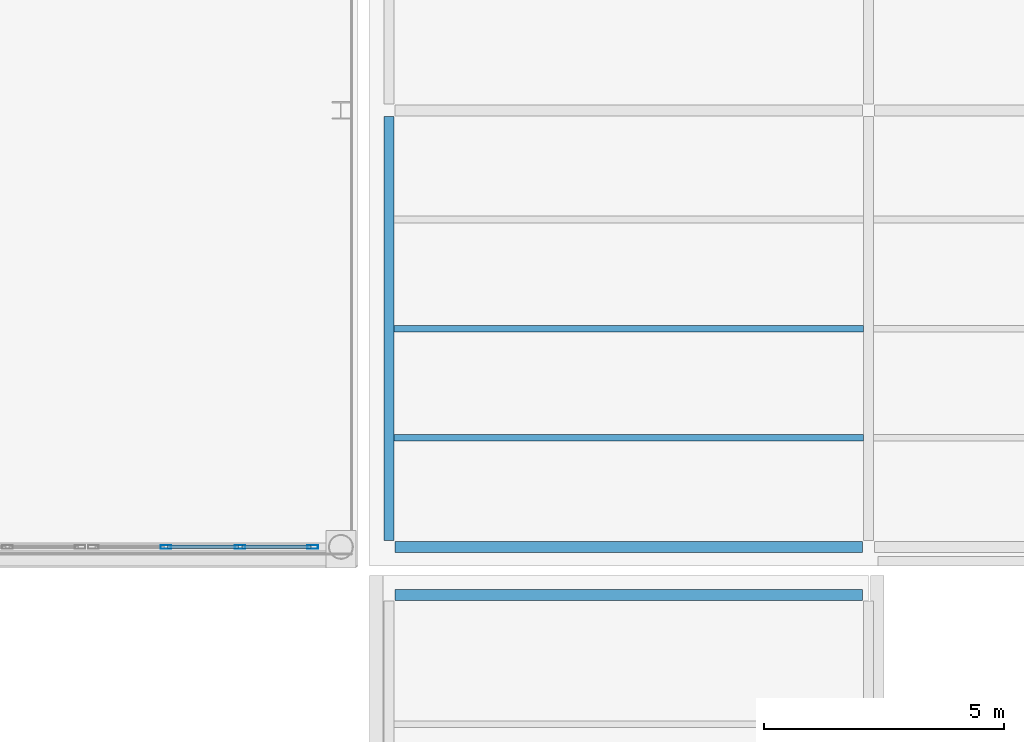
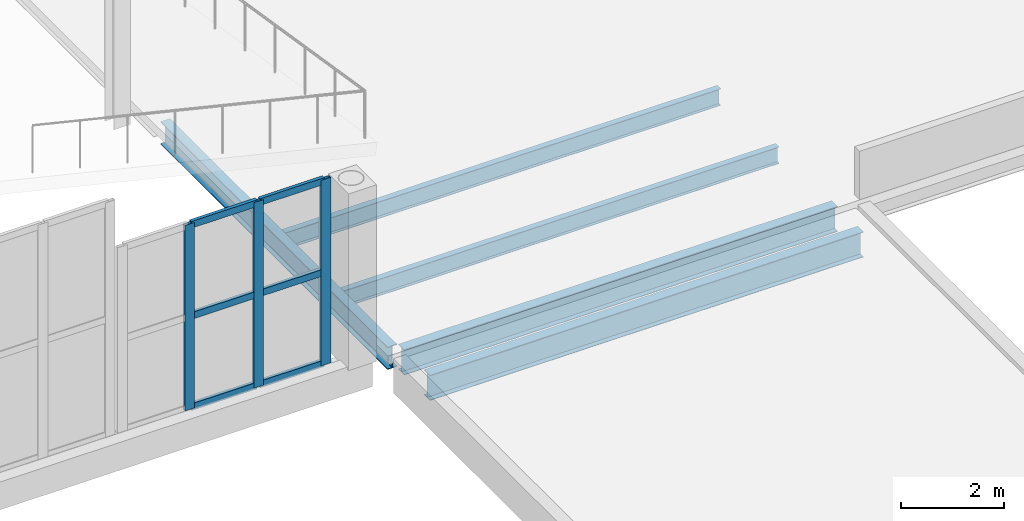
# One storey, part 73 of 120: 9 members, 5 beams, 1 element without a shape of its own.
"""IFC4 building model written with IfcOpenShell, lengths in metres."""

from ifc_helpers import new_model, si_unit, direction, frame, origin, origin_2d, place, context, subcontext, project, spatial, hollow_rectangle, i_section, extrude, material, material_profile, profile_set, type_object, element, aggregate, save


model = new_model("IFC4")

# Units and contexts
model_context = context("Model", 3, precision=1e-05, world=origin(), true_north=direction((0.0, 1.0)))
body_context = subcontext(model_context, "Body", "Model", "MODEL_VIEW")
ifc_project = project(units=[si_unit("LENGTHUNIT", "METRE"), si_unit("AREAUNIT", "SQUARE_METRE"), si_unit("VOLUMEUNIT", "CUBIC_METRE"), si_unit("PLANEANGLEUNIT", "RADIAN"), si_unit("MASSUNIT", "GRAM", prefix="KILO")], contexts=[model_context])

# Site, building, storey
site_placement = place(None, origin())
site = spatial("IfcSite", under=ifc_project, at=site_placement, CompositionType="ELEMENT")
building_placement = place(site_placement, origin())
building = spatial("IfcBuilding", under=site, at=building_placement, Name="Caurita Quay Ferry Terminal", CompositionType="ELEMENT")
storey_placement = place(building_placement, frame((0.0, 0.0, 9.89990234375)))
storey = spatial("IfcBuildingStorey", under=building, at=storey_placement, Name="L02", CompositionType="ELEMENT", Elevation=9.89990234375)

# Beams
ifc_material_1 = material(Name="Structural steel ASTM A992 Gr. 50", Category="steel")
ifc_material_profile_1 = material_profile(ifc_material_1, i_section(OverallWidth=0.210693359375, OverallDepth=0.53857421875, WebThickness=0.01171875, FlangeThickness=0.018798828125, FilletRadius=0.013916015625, at=origin_2d()), Name="W21X73")
ifc_profile_set_1 = profile_set([ifc_material_profile_1], Name="Structural steel ASTM A992 Gr. 50")
beam_type_1 = type_object("IfcBeamType", Name="BM-GR-W21A", PredefinedType="BEAM", material=ifc_profile_set_1)
beam_placement = place(storey_placement, frame((132.800048828125, 34.730712890625, -0.479248046875), z_axis=(0.0, 1.0, 0.0), x_axis=(-1.0, 0.0, 0.0)))
element("IfcBeam", 1, at=beam_placement, inside=storey, type_object=beam_type_1, Name="L02 Beam BM-V3H-L02-Y-1328-347", PredefinedType="BEAM", context=body_context, shape_type="SweptSolid", body=[
    extrude(i_section(OverallWidth=0.210693359375, OverallDepth=0.53857421875, WebThickness=0.01171875, FlangeThickness=0.018798828125, FilletRadius=0.013916015625, at=origin_2d()), origin(), (0.0, 0.0, 1.0), 8.838623046875),
])
ifc_material_profile_2 = material_profile(ifc_material_1, i_section(OverallWidth=0.22802734375, OverallDepth=0.60205078125, WebThickness=0.010498046875, FlangeThickness=0.014892578125, at=origin_2d()), Name="W24X68")
ifc_profile_set_2 = profile_set([ifc_material_profile_2], Name="Structural steel ASTM A992 Gr. 50")
beam_type_2 = type_object("IfcBeamType", Name="BM-GR-W24C", PredefinedType="BEAM", material=ifc_profile_set_2)
for number, where, z_axis, x_axis, name in (
    (2, (132.929443359375, 34.60009765625, -0.510986328125), (1.0, 0.0, 0.0), (0.0, 1.0, 0.0), "L02 Beam BM-V3H-L02-X-1329-346"),
    (3, (132.929443359375, 33.60009765625, -0.510986328125), (1.0, 0.0, 0.0), (0.0, 1.0, 0.0), "L02 Beam BM-V3P-L02-X-1329-336"),
):
    element("IfcBeam", number, at=place(storey_placement, frame(where, z_axis=z_axis, x_axis=x_axis)), inside=storey, type_object=beam_type_2, Name=name, PredefinedType="BEAM", context=body_context, shape_type="SweptSolid", body=[
        extrude(i_section(OverallWidth=0.22802734375, OverallDepth=0.60205078125, WebThickness=0.010498046875, FlangeThickness=0.014892578125, at=origin_2d()), origin(), (0.0, 0.0, 1.0), 9.740966796875),
    ])
ifc_material_profile_3 = material_profile(ifc_material_1, i_section(OverallWidth=0.139892578125, OverallDepth=0.39892578125, WebThickness=0.00634765625, FlangeThickness=0.0087890625, at=origin_2d()), Name="W16X26")
ifc_profile_set_3 = profile_set([ifc_material_profile_3], Name="Structural steel ASTM A992 Gr. 50")
beam_type_3 = type_object("IfcBeamType", Name="BM-JS-W16C", PredefinedType="JOIST", material=ifc_profile_set_3)
for number, where, z_axis, x_axis, name in (
    (4, (132.905517578125, 36.875, -0.409423828125), (1.0, 0.0, 0.0), (0.0, 1.0, 0.0), "L02 Beam JS-V3H-L02-001"),
    (5, (132.905517578125, 39.14990234375, -0.409423828125), (1.0, 0.0, 0.0), (0.0, 1.0, 0.0), "L02 Beam JS-V3H-L02-002"),
):
    element("IfcBeam", number, at=place(storey_placement, frame(where, z_axis=z_axis, x_axis=x_axis)), inside=storey, type_object=beam_type_3, Name=name, PredefinedType="JOIST", context=body_context, shape_type="SweptSolid", body=[
        extrude(i_section(OverallWidth=0.139892578125, OverallDepth=0.39892578125, WebThickness=0.00634765625, FlangeThickness=0.0087890625, at=origin_2d()), origin(), (0.0, 0.0, 1.0), 9.7890625),
    ])

# Curtain wall, members
ifc_material_2 = material(Name="Laminated solar-control insulated glass", Category="glass")
curtain_wall_type = type_object("IfcCurtainWallType", Name="CW-SYS-07", PredefinedType="NOTDEFINED", material=ifc_material_2)
curtain_wall_placement = place(storey_placement, origin())
curtain_wall = element("IfcCurtainWall", 6, at=curtain_wall_placement, inside=storey, type_object=curtain_wall_type, Name="Folded Roof Clerestory FB-06-S4", PredefinedType="NOTDEFINED")
ifc_material_3 = material(Name="Anodized aluminium 6063-T6", Category="aluminium")
ifc_material_profile_4 = material_profile(ifc_material_3, hollow_rectangle(XDim=0.074951171875, YDim=0.219970703125, WallThickness=0.00390625, at=origin_2d()), Name="ALU-MUL-75X220")
ifc_profile_set_4 = profile_set([ifc_material_profile_4], Name="Anodized aluminium 6063-T6")
member_type_1 = type_object("IfcMemberType", Name="CW-MUL-220", PredefinedType="MULLION", material=ifc_profile_set_4)
member_1_placement = place(storey_placement, frame((128.14990234375, 34.60009765625, 0.0), z_axis=(0.0, 0.0, 1.0), x_axis=(0.0, 1.0, 0.0)))
member_1 = element("IfcMember", 7, at=member_1_placement, type_object=member_type_1, Name="CW-CLR-044 Mullion 2", PredefinedType="MULLION", context=body_context, shape_type="SweptSolid", body=[
    extrude(hollow_rectangle(XDim=0.074951171875, YDim=0.219970703125, WallThickness=0.00390625, at=origin_2d()), origin(), (0.0, 0.0, 1.0), 4.4091796875),
])
member_2_placement = place(storey_placement, frame((129.699951171875, 34.60009765625, 0.0), z_axis=(0.0, 0.0, 1.0), x_axis=(0.0, 1.0, 0.0)))
member_2 = element("IfcMember", 8, at=member_2_placement, type_object=member_type_1, Name="CW-CLR-044 Mullion 3", PredefinedType="MULLION", context=body_context, shape_type="SweptSolid", body=[
    extrude(hollow_rectangle(XDim=0.074951171875, YDim=0.219970703125, WallThickness=0.00390625, at=origin_2d()), origin(), (0.0, 0.0, 1.0), 4.4091796875),
])
member_3_placement = place(storey_placement, frame((131.21240234375, 34.60009765625, 0.0), z_axis=(0.0, 0.0, 1.0), x_axis=(0.0, 1.0, 0.0)))
member_3 = element("IfcMember", 9, at=member_3_placement, type_object=member_type_1, Name="CW-CLR-044 Mullion 4", PredefinedType="MULLION", context=body_context, shape_type="SweptSolid", body=[
    extrude(hollow_rectangle(XDim=0.074951171875, YDim=0.219970703125, WallThickness=0.00390625, at=origin_2d()), origin(), (0.0, 0.0, 1.0), 4.4091796875),
])
ifc_material_profile_5 = material_profile(ifc_material_3, hollow_rectangle(XDim=0.074951171875, YDim=0.159912109375, WallThickness=0.00390625, at=origin_2d()), Name="ALU-TRN-75X160")
ifc_profile_set_5 = profile_set([ifc_material_profile_5], Name="Anodized aluminium 6063-T6")
member_type_2 = type_object("IfcMemberType", Name="CW-TRN-160", PredefinedType="USERDEFINED", material=ifc_profile_set_5)
member_4_placement = place(storey_placement, frame((128.185546875, 34.60009765625, 0.03759765625), z_axis=(1.0, 0.0, 0.0), x_axis=(0.0, 1.0, 0.0)))
member_4 = element("IfcMember", 10, at=member_4_placement, type_object=member_type_2, Name="CW-CLR-044 Transom 4", ObjectType="TRANSOM", PredefinedType="USERDEFINED", context=body_context, shape_type="SweptSolid", body=[
    extrude(hollow_rectangle(XDim=0.074951171875, YDim=0.159912109375, WallThickness=0.00390625, at=origin_2d()), origin(), (0.0, 0.0, 1.0), 1.47900390625),
])
member_5_placement = place(storey_placement, frame((128.185546875, 34.60009765625, 2.20458984375), z_axis=(1.0, 0.0, 0.0), x_axis=(0.0, 1.0, 0.0)))
member_5 = element("IfcMember", 11, at=member_5_placement, type_object=member_type_2, Name="CW-CLR-044 Transom 5", ObjectType="TRANSOM", PredefinedType="USERDEFINED", context=body_context, shape_type="SweptSolid", body=[
    extrude(hollow_rectangle(XDim=0.074951171875, YDim=0.159912109375, WallThickness=0.00390625, at=origin_2d()), origin(), (0.0, 0.0, 1.0), 1.47900390625),
])
member_6_placement = place(storey_placement, frame((128.185546875, 34.60009765625, 4.37158203125), z_axis=(1.0, 0.0, 0.0), x_axis=(0.0, 1.0, 0.0)))
member_6 = element("IfcMember", 12, at=member_6_placement, type_object=member_type_2, Name="CW-CLR-044 Transom 6", ObjectType="TRANSOM", PredefinedType="USERDEFINED", context=body_context, shape_type="SweptSolid", body=[
    extrude(hollow_rectangle(XDim=0.074951171875, YDim=0.159912109375, WallThickness=0.00390625, at=origin_2d()), origin(), (0.0, 0.0, 1.0), 1.47900390625),
])
member_7_placement = place(storey_placement, frame((129.735595703125, 34.60009765625, 0.03759765625), z_axis=(1.0, 0.0, 0.0), x_axis=(0.0, 1.0, 0.0)))
member_7 = element("IfcMember", 13, at=member_7_placement, type_object=member_type_2, Name="CW-CLR-044 Transom 7", ObjectType="TRANSOM", PredefinedType="USERDEFINED", context=body_context, shape_type="SweptSolid", body=[
    extrude(hollow_rectangle(XDim=0.074951171875, YDim=0.159912109375, WallThickness=0.00390625, at=origin_2d()), origin(), (0.0, 0.0, 1.0), 1.44140625),
])
member_8_placement = place(storey_placement, frame((129.735595703125, 34.60009765625, 2.20458984375), z_axis=(1.0, 0.0, 0.0), x_axis=(0.0, 1.0, 0.0)))
member_8 = element("IfcMember", 14, at=member_8_placement, type_object=member_type_2, Name="CW-CLR-044 Transom 8", ObjectType="TRANSOM", PredefinedType="USERDEFINED", context=body_context, shape_type="SweptSolid", body=[
    extrude(hollow_rectangle(XDim=0.074951171875, YDim=0.159912109375, WallThickness=0.00390625, at=origin_2d()), origin(), (0.0, 0.0, 1.0), 1.44140625),
])
member_9_placement = place(storey_placement, frame((129.735595703125, 34.60009765625, 4.37158203125), z_axis=(1.0, 0.0, 0.0), x_axis=(0.0, 1.0, 0.0)))
member_9 = element("IfcMember", 15, at=member_9_placement, type_object=member_type_2, Name="CW-CLR-044 Transom 9", ObjectType="TRANSOM", PredefinedType="USERDEFINED", context=body_context, shape_type="SweptSolid", body=[
    extrude(hollow_rectangle(XDim=0.074951171875, YDim=0.159912109375, WallThickness=0.00390625, at=origin_2d()), origin(), (0.0, 0.0, 1.0), 1.44140625),
])
aggregate(curtain_wall, [member_1, member_2, member_3, member_4, member_5, member_6, member_7, member_8, member_9])

save(model, "model.ifc")
